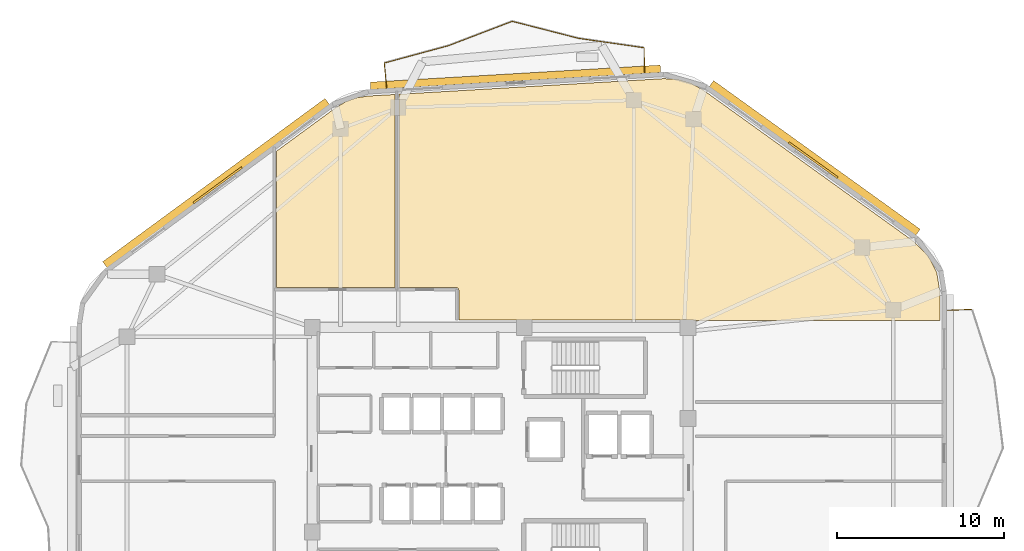
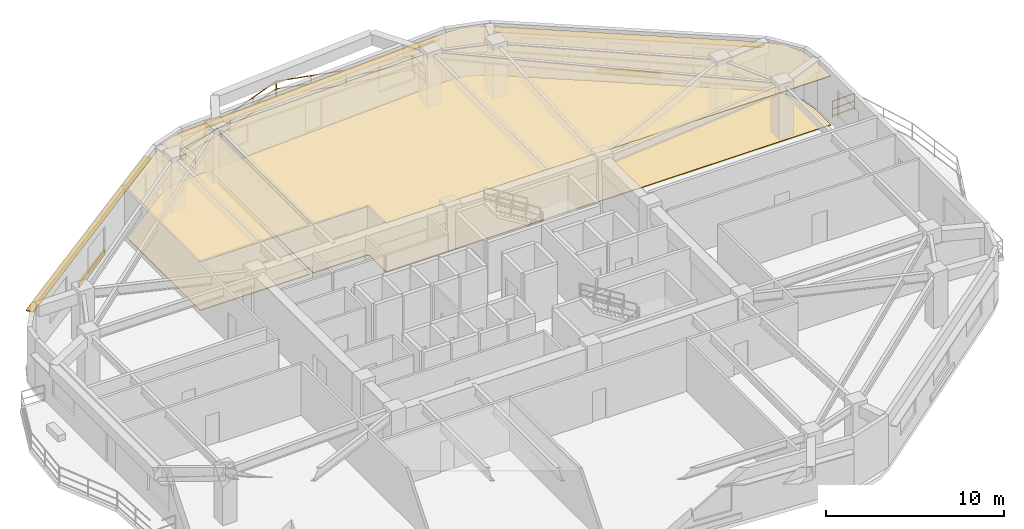
# One storey, part 9 of 9: 7 railings, 5 shading devices, 4 coverings.
"""IFC4 building model written with IfcOpenShell, lengths in metres."""

import ifcopenshell
import ifcopenshell.guid

model = None  # the IFC model being written
_history = None  # IfcOwnerHistory: only IFC2X3 demands one
_inside = {}  # id of a spatial element -> (the spatial element, [elements in it])
_under = {}  # id of a project, library or spatial element -> (it, [spatial elements below it])
_declared = {}  # id of a project -> (the project, [libraries it declares])
_typed = {}  # id of a type object -> (the type object, [elements of that type])
_made_of = {}  # id of a material, layer set ... -> (it, [elements and type objects made of it])


def new_model(schema):
    """Start an empty IFC model of exactly this schema.

    Asked for "IFC4X3", IfcOpenShell would pick the latest addendum, in which some entities
    have other attributes; the version numbers below select the first issue.
    IFC2X3 requires an IfcOwnerHistory on every rooted entity: one is made here for all.
    """
    global model, _history
    if schema == "IFC4X3":
        model = ifcopenshell.file(schema_version=(4, 3, 0, 0))
    else:
        model = ifcopenshell.file(schema=schema)
    _inside.clear()
    _under.clear()
    _declared.clear()
    _typed.clear()
    _made_of.clear()
    _history = None
    if model.schema == "IFC2X3":
        org = make("IfcOrganization", Name="unknown")
        user = make(
            "IfcPersonAndOrganization",
            ThePerson=make("IfcPerson", FamilyName="unknown"),
            TheOrganization=org,
        )
        app = make(
            "IfcApplication",
            ApplicationDeveloper=org,
            Version="unknown",
            ApplicationFullName="unknown",
            ApplicationIdentifier="unknown",
        )
        _history = make(
            "IfcOwnerHistory",
            OwningUser=user,
            OwningApplication=app,
            ChangeAction="ADDED",
            CreationDate=0,
        )
    return model


def make(cls, **values):
    """One entity of the class cls with the attributes given. An attribute that is None is left unset."""
    return model.create_entity(
        cls, **{name: value for name, value in values.items() if value is not None}
    )


def rooted(cls, **values):
    """An entity with a GlobalId (a new one), such as an element, a storey or a relation."""
    return make(cls, GlobalId=ifcopenshell.guid.new(), OwnerHistory=_history, **values)


def si_unit(unit_type, name, prefix=None):
    """IfcSIUnit, for example si_unit("LENGTHUNIT", "METRE", prefix="MILLI")."""
    return make("IfcSIUnit", UnitType=unit_type, Prefix=prefix, Name=name)


def assignment(units):
    """IfcUnitAssignment: the units of a project."""
    return None if units is None else make("IfcUnitAssignment", Units=units)


def point(xyz):
    """IfcCartesianPoint."""
    return None if xyz is None else make("IfcCartesianPoint", Coordinates=xyz)


def direction(xyz):
    """IfcDirection."""
    return None if xyz is None else make("IfcDirection", DirectionRatios=xyz)


def frame(location, z_axis=None, x_axis=None):
    """IfcAxis2Placement3D, a coordinate frame: its origin and axes. An axis left out is left unset."""
    return make(
        "IfcAxis2Placement3D",
        Location=point(location),
        Axis=direction(z_axis),
        RefDirection=direction(x_axis),
    )


def frame_2d(location, x_axis=None):
    """IfcAxis2Placement2D, a coordinate frame in the plane: its origin and x axis."""
    return make(
        "IfcAxis2Placement2D", Location=point(location), RefDirection=direction(x_axis)
    )


def origin():
    """The frame at (0, 0, 0) with its axes left unset."""
    return frame((0.0, 0.0, 0.0))


def origin_2d():
    """The frame at (0, 0) in the plane with its x axis left unset."""
    return frame_2d((0.0, 0.0))


def place(relative_to, where):
    """IfcLocalPlacement: puts the frame where relative to a parent placement (None: the world)."""
    return make(
        "IfcLocalPlacement", PlacementRelTo=relative_to, RelativePlacement=where
    )


def context(
    kind, dimensions, precision=None, world=None, true_north=None, identifier=None
):
    """IfcGeometricRepresentationContext, for example the 3D "Model" context."""
    return make(
        "IfcGeometricRepresentationContext",
        ContextIdentifier=identifier,
        ContextType=kind,
        CoordinateSpaceDimension=dimensions,
        Precision=precision,
        WorldCoordinateSystem=world,
        TrueNorth=true_north,
    )


def subcontext(parent, identifier, kind, view, scale=None):
    """IfcGeometricRepresentationSubContext, for example "Body" below "Model"."""
    return make(
        "IfcGeometricRepresentationSubContext",
        ContextIdentifier=identifier,
        ContextType=kind,
        ParentContext=parent,
        TargetScale=scale,
        TargetView=view,
    )


def project(units=None, contexts=None):
    """IfcProject with its units and contexts."""
    return rooted(
        "IfcProject",
        Name="project",
        RepresentationContexts=contexts,
        UnitsInContext=assignment(units),
    )


def spatial(cls, under=None, at=None, **own):
    """A site, building, storey or space (cls), placed at a placement, below another one or the project."""
    s = rooted(cls, ObjectPlacement=at, **own)
    if under is not None:
        _under.setdefault(under.id(), (under, []))[1].append(s)
    return s


def polyline(points):
    """IfcPolyline through the points."""
    return make("IfcPolyline", Points=[point(p) for p in points])


def profile(cls, at=None, kind="AREA", **sizes):
    """A parametric profile (cls). Its sizes go by their IFC names, for example OverallWidth=200.0."""
    return make(cls, ProfileType=kind, Position=at, **sizes)


def rectangle(**sizes):
    """IfcRectangleProfileDef."""
    return profile("IfcRectangleProfileDef", **sizes)


def outline(outer, holes=None, kind="AREA"):
    """IfcArbitraryClosedProfileDef: a profile drawn as a closed curve; with holes, ...WithVoids."""
    if holes is None:
        return make("IfcArbitraryClosedProfileDef", ProfileType=kind, OuterCurve=outer)
    return make(
        "IfcArbitraryProfileDefWithVoids",
        ProfileType=kind,
        OuterCurve=outer,
        InnerCurves=holes,
    )


def extrude(swept, where, along, depth):
    """IfcExtrudedAreaSolid: the profile swept, set in the frame where, extruded along a direction by depth."""
    return make(
        "IfcExtrudedAreaSolid",
        SweptArea=swept,
        Position=where,
        ExtrudedDirection=direction(along),
        Depth=depth,
    )


def shape(context_of_items, identifier, shape_type, items):
    """IfcShapeRepresentation: the items that make up one representation, for example the "Body"."""
    return make(
        "IfcShapeRepresentation",
        ContextOfItems=context_of_items,
        RepresentationIdentifier=identifier,
        RepresentationType=shape_type,
        Items=items,
    )


def material(Name=None, Category=None):
    """IfcMaterial."""
    return make("IfcMaterial", Name=Name, Category=Category)


def layer(
    of_material, thickness, ventilated=None, Name=None, Category=None, Priority=None
):
    """IfcMaterialLayer: one layer of a wall or slab, of a material (None: an air gap)."""
    return make(
        "IfcMaterialLayer",
        Material=of_material,
        LayerThickness=thickness,
        IsVentilated=ventilated,
        Name=Name,
        Category=Category,
        Priority=Priority,
    )


def layer_set(layers, Name=None):
    """IfcMaterialLayerSet."""
    return make("IfcMaterialLayerSet", MaterialLayers=layers, LayerSetName=Name)


def made_of(thing, what):
    """Note that an element or type object is made of a material, layer set ...; save() writes the relation."""
    if what is not None:
        _made_of.setdefault(what.id(), (what, []))[1].append(thing)
    return thing


def type_object(cls, material=None, **own):
    """A type object (cls), such as IfcWallType, which elements share."""
    return made_of(rooted(cls, **own), material)


def element(
    cls,
    number,
    at=None,
    inside=None,
    cuts=None,
    type_object=None,
    material=None,
    context=None,
    identifier="Body",
    shape_type=None,
    held_by="IfcProductDefinitionShape",
    body=None,
    shapes=None,
    **own,
):
    """One element of the class cls, such as IfcWall. Its Tag is "e" and its number.

    at: its placement. inside: the storey or other place that contains it. cuts: it is an
    opening in that element (IfcRelVoidsElement). A single representation is given by context,
    identifier, shape_type and body (its items); several are given by shapes. held_by: the class
    of the entity that holds the representations. save() writes the other relations.
    """
    e = rooted(cls, Tag="e%d" % number, ObjectPlacement=at, **own)
    if body is not None:
        shapes = [shape(context, identifier, shape_type, body)]
    if shapes is not None:
        e.Representation = make(held_by, Representations=shapes)
    if inside is not None:
        _inside.setdefault(inside.id(), (inside, []))[1].append(e)
    if cuts is not None:
        rooted(
            "IfcRelVoidsElement", RelatingBuildingElement=cuts, RelatedOpeningElement=e
        )
    if type_object is not None:
        _typed.setdefault(type_object.id(), (type_object, []))[1].append(e)
    return made_of(e, material)


def aggregate(whole, parts):
    """IfcRelAggregates: a whole, such as a stair, and the parts it consists of."""
    return rooted("IfcRelAggregates", RelatingObject=whole, RelatedObjects=parts)


def save(model, path):
    """Write the relations noted so far, then the file.

    IfcRelAggregates (storeys below a building ...), IfcRelContainedInSpatialStructure (elements
    in a storey), IfcRelDefinesByType, IfcRelAssociatesMaterial and IfcRelDeclares: one each for
    every whole, place, type object, material and project.
    """
    for whole, parts in _under.values():
        aggregate(whole, parts)
    for where, things in _inside.values():
        rooted(
            "IfcRelContainedInSpatialStructure",
            RelatedElements=things,
            RelatingStructure=where,
        )
    for kind, things in _typed.values():
        rooted("IfcRelDefinesByType", RelatedObjects=things, RelatingType=kind)
    for what, things in _made_of.values():
        rooted("IfcRelAssociatesMaterial", RelatedObjects=things, RelatingMaterial=what)
    for by, libraries in _declared.values():
        rooted("IfcRelDeclares", RelatingContext=by, RelatedDefinitions=libraries)
    model.write(path)


model = new_model("IFC4")

# Units and contexts
model_context = context("Model", 3, precision=1e-05, world=origin(), true_north=direction((0.0, 1.0)))
body_context = subcontext(model_context, "Body", "Model", "MODEL_VIEW")
ifc_project = project(units=[si_unit("LENGTHUNIT", "METRE"), si_unit("AREAUNIT", "SQUARE_METRE"), si_unit("VOLUMEUNIT", "CUBIC_METRE"), si_unit("PLANEANGLEUNIT", "RADIAN"), si_unit("MASSUNIT", "GRAM", prefix="KILO")], contexts=[model_context])

# Site, building, storey
site_placement = place(None, origin())
site = spatial("IfcSite", under=ifc_project, at=site_placement, CompositionType="ELEMENT")
building_placement = place(site_placement, origin())
building = spatial("IfcBuilding", under=site, at=building_placement, Name="Zulverin Broadcast Headquarters", CompositionType="ELEMENT")
storey_placement = place(building_placement, frame((0.0, 0.0, 197.199951171875)))
storey = spatial("IfcBuildingStorey", under=building, at=storey_placement, Name="L50", CompositionType="ELEMENT", Elevation=197.199951171875)

# Coverings
ifc_material_1 = material(Name="Perforated pale-metal acoustic baffle ceiling", Category="aluminium")
ifc_layer_1 = layer(ifc_material_1, 0.0400390625, Name="Perforated pale-metal acoustic baffle ceiling", Category="aluminium")
ifc_layer_set_1 = layer_set([ifc_layer_1], Name="Perforated pale-metal acoustic baffle ceiling")
covering_type_1 = type_object("IfcCoveringType", Name="COV-CEIL-ACOU", PredefinedType="CEILING", material=ifc_layer_set_1)
covering_1_placement = place(storey_placement, frame((0.0, 0.0, 3.360107421875)))
element("IfcCovering", 1, at=covering_1_placement, inside=storey, type_object=covering_type_1, Name="L50 Acoustic Baffle Ceiling 01", PredefinedType="CEILING", context=body_context, shape_type="SweptSolid", body=[
    extrude(outline(polyline([(30.679931640625, 35.471923828125), (30.679931640625, 47.06396484375), (29.075927734375, 46.971923828125), (28.3759765625, 46.864013671875), (27.73193359375, 46.632080078125), (27.1279296875, 46.26806640625), (23.572021484375, 43.659912109375), (23.572021484375, 35.471923828125), (30.679931640625, 35.471923828125)])), origin(), (0.0, 0.0, 1.0), 0.0400390625),
])
covering_2_placement = place(storey_placement, frame((0.0, 0.0, 3.360107421875)))
element("IfcCovering", 2, at=covering_2_placement, inside=storey, type_object=covering_type_1, Name="L50 Acoustic Baffle Ceiling 02", PredefinedType="CEILING", context=body_context, shape_type="SweptSolid", body=[
    extrude(outline(polyline([(48.4599609375, 47.739990234375), (47.679931640625, 47.968017578125), (46.840087890625, 48.01611328125), (30.919921875, 47.080078125), (30.919921875, 35.471923828125), (34.360107421875, 35.471923828125), (34.3720703125, 35.471923828125), (34.384033203125, 35.468017578125), (34.39208984375, 35.468017578125), (34.39990234375, 35.464111328125), (34.407958984375, 35.464111328125), (34.419921875, 35.4599609375), (34.427978515625, 35.4560546875), (34.43603515625, 35.451904296875), (34.447998046875, 35.444091796875), (34.4599609375, 35.43603515625), (34.468017578125, 35.427978515625), (34.47607421875, 35.419921875), (34.48388671875, 35.412109375), (34.491943359375, 35.39990234375), (34.5, 35.387939453125), (34.50390625, 35.3798828125), (34.508056640625, 35.3720703125), (34.511962890625, 35.364013671875), (34.51611328125, 35.35205078125), (34.51611328125, 35.343994140625), (34.52001953125, 35.33203125), (34.52001953125, 35.320068359375), (34.52001953125, 33.52001953125), (48.568115234375, 33.52001953125), (48.580078125, 33.52001953125), (48.592041015625, 33.51611328125), (48.60009765625, 33.51611328125), (48.612060546875, 33.511962890625), (48.6201171875, 33.508056640625), (48.635986328125, 33.5), (63.39990234375, 33.5), (63.39990234375, 35.236083984375), (63.216064453125, 36.384033203125), (62.699951171875, 37.387939453125), (61.8798828125, 38.2080078125), (49.196044921875, 47.33203125), (48.4599609375, 47.739990234375)])), origin(), (0.0, 0.0, 1.0), 0.0400390625),
])
ifc_material_2 = material(Name="Anti-static broadcast raised access flooring", Category="stone")
ifc_layer_2 = layer(ifc_material_2, 0.050048828125, Name="Anti-static broadcast raised access flooring", Category="stone")
ifc_layer_set_2 = layer_set([ifc_layer_2], Name="Anti-static broadcast raised access flooring")
covering_type_2 = type_object("IfcCoveringType", Name="COV-FLR-RAISED", PredefinedType="FLOORING", material=ifc_layer_set_2)
covering_3_placement = place(storey_placement, origin())
element("IfcCovering", 3, at=covering_3_placement, inside=storey, type_object=covering_type_2, Name="L50 Broadcast Raised Access Flooring 01", PredefinedType="FLOORING", context=body_context, shape_type="SweptSolid", body=[
    extrude(outline(polyline([(30.679931640625, 35.471923828125), (30.679931640625, 47.06396484375), (29.075927734375, 46.971923828125), (28.3759765625, 46.864013671875), (27.73193359375, 46.632080078125), (27.1279296875, 46.26806640625), (23.572021484375, 43.659912109375), (23.572021484375, 35.471923828125), (30.679931640625, 35.471923828125)])), origin(), (0.0, 0.0, 1.0), 0.050048828125),
])
covering_4_placement = place(storey_placement, origin())
element("IfcCovering", 4, at=covering_4_placement, inside=storey, type_object=covering_type_2, Name="L50 Broadcast Raised Access Flooring 02", PredefinedType="FLOORING", context=body_context, shape_type="SweptSolid", body=[
    extrude(outline(polyline([(48.4599609375, 47.739990234375), (47.679931640625, 47.968017578125), (46.840087890625, 48.01611328125), (30.919921875, 47.080078125), (30.919921875, 35.471923828125), (34.360107421875, 35.471923828125), (34.3720703125, 35.471923828125), (34.384033203125, 35.468017578125), (34.39208984375, 35.468017578125), (34.39990234375, 35.464111328125), (34.407958984375, 35.464111328125), (34.419921875, 35.4599609375), (34.427978515625, 35.4560546875), (34.43603515625, 35.451904296875), (34.447998046875, 35.444091796875), (34.4599609375, 35.43603515625), (34.468017578125, 35.427978515625), (34.47607421875, 35.419921875), (34.48388671875, 35.412109375), (34.491943359375, 35.39990234375), (34.5, 35.387939453125), (34.50390625, 35.3798828125), (34.508056640625, 35.3720703125), (34.511962890625, 35.364013671875), (34.51611328125, 35.35205078125), (34.51611328125, 35.343994140625), (34.52001953125, 35.33203125), (34.52001953125, 35.320068359375), (34.52001953125, 33.52001953125), (48.568115234375, 33.52001953125), (48.580078125, 33.52001953125), (48.592041015625, 33.51611328125), (48.60009765625, 33.51611328125), (48.612060546875, 33.511962890625), (48.6201171875, 33.508056640625), (48.635986328125, 33.5), (63.39990234375, 33.5), (63.39990234375, 35.236083984375), (63.216064453125, 36.384033203125), (62.699951171875, 37.387939453125), (61.8798828125, 38.2080078125), (49.196044921875, 47.33203125), (48.4599609375, 47.739990234375)])), origin(), (0.0, 0.0, 1.0), 0.050048828125),
])

# Railings
ifc_material_3 = material(Name="Brushed stainless steel & laminated glass balustrade", Category="steel")
railing_type = type_object("IfcRailingType", Name="RL-GUARD-1150", PredefinedType="GUARDRAIL", material=ifc_material_3)
railing_1_placement = place(storey_placement, frame((65.304931640625, 34.16552734375, 0.0)))
element("IfcRailing", 5, at=railing_1_placement, inside=storey, type_object=railing_type, Name="L50 Vertical-Forest Balcony Guardrail BAL_E Segment 06", PredefinedType="GUARDRAIL", context=body_context, shape_type="SweptSolid", body=[
    extrude(rectangle(XDim=0.048095703125, YDim=0.048095703125, at=origin_2d()), frame((0.0, 0.0, 1.1259765625), z_axis=(-0.99918088253, -0.040466825742, 0.0), x_axis=(0.040466825742, -0.99918088253, 0.0)), (0.0, 0.0, 1.0), 1.466064453125),
    extrude(rectangle(XDim=0.0419921875, YDim=0.0419921875, at=origin_2d()), frame((0.0, 0.0, 0.597900390625), z_axis=(-0.99918088253, -0.040466825742, 0.0), x_axis=(0.040466825742, -0.99918088253, 0.0)), (0.0, 0.0, 1.0), 1.466064453125),
    extrude(rectangle(XDim=0.0419921875, YDim=0.0419921875, at=origin_2d()), frame((0.0, 0.0, 0.1201171875), z_axis=(-0.99918088253, -0.040466825742, 0.0), x_axis=(0.040466825742, -0.99918088253, 0.0)), (0.0, 0.0, 1.0), 1.466064453125),
    extrude(rectangle(XDim=0.0419921875, YDim=0.0419921875, at=origin_2d()), origin(), (0.0, 0.0, 1.0), 1.101806640625),
    extrude(rectangle(XDim=0.0419921875, YDim=0.0419921875, at=origin_2d()), frame((-1.46484375, -0.059326171875, 0.0)), (0.0, 0.0, 1.0), 1.101806640625),
])
railing_2_placement = place(storey_placement, frame((45.677734375, 48.388427734375, 0.0)))
element("IfcRailing", 6, at=railing_2_placement, inside=storey, type_object=railing_type, Name="L50 Vertical-Forest Balcony Guardrail BAL_N Segment 01", PredefinedType="GUARDRAIL", context=body_context, shape_type="SweptSolid", body=[
    extrude(rectangle(XDim=0.048095703125, YDim=0.048095703125, at=origin_2d()), frame((0.0, 0.0, 1.1259765625), z_axis=(-0.018318045163, 0.999832210534, 0.0), x_axis=(-0.999832210534, -0.018318045163, 0.0)), (0.0, 0.0, 1.0), 1.466064453125),
    extrude(rectangle(XDim=0.0419921875, YDim=0.0419921875, at=origin_2d()), frame((0.0, 0.0, 0.597900390625), z_axis=(-0.018318045163, 0.999832210534, 0.0), x_axis=(-0.999832210534, -0.018318045163, 0.0)), (0.0, 0.0, 1.0), 1.466064453125),
    extrude(rectangle(XDim=0.0419921875, YDim=0.0419921875, at=origin_2d()), frame((0.0, 0.0, 0.1201171875), z_axis=(-0.018318045163, 0.999832210534, 0.0), x_axis=(-0.999832210534, -0.018318045163, 0.0)), (0.0, 0.0, 1.0), 1.466064453125),
    extrude(rectangle(XDim=0.0419921875, YDim=0.0419921875, at=origin_2d()), origin(), (0.0, 0.0, 1.0), 1.101806640625),
    extrude(rectangle(XDim=0.0419921875, YDim=0.0419921875, at=origin_2d()), frame((-0.02685546875, 1.4658203125, 0.0)), (0.0, 0.0, 1.0), 1.101806640625),
])
railing_3_placement = place(storey_placement, frame((45.6357421875, 49.871337890625, 0.0)))
element("IfcRailing", 7, at=railing_3_placement, inside=storey, type_object=railing_type, Name="L50 Vertical-Forest Balcony Guardrail BAL_N Segment 02", PredefinedType="GUARDRAIL", context=body_context, shape_type="SweptSolid", body=[
    extrude(rectangle(XDim=0.048095703125, YDim=0.048095703125, at=origin_2d()), frame((0.0, 0.0, 1.1259765625), z_axis=(-0.989784798904, 0.142569463277, 0.0), x_axis=(-0.142569463277, -0.989784798904, 0.0)), (0.0, 0.0, 1.0), 3.959228515625),
    extrude(rectangle(XDim=0.0419921875, YDim=0.0419921875, at=origin_2d()), frame((0.0, 0.0, 0.597900390625), z_axis=(-0.989784798904, 0.142569463277, 0.0), x_axis=(-0.142569463277, -0.989784798904, 0.0)), (0.0, 0.0, 1.0), 3.959228515625),
    extrude(rectangle(XDim=0.0419921875, YDim=0.0419921875, at=origin_2d()), frame((0.0, 0.0, 0.1201171875), z_axis=(-0.989784798904, 0.142569463277, 0.0), x_axis=(-0.142569463277, -0.989784798904, 0.0)), (0.0, 0.0, 1.0), 3.959228515625),
    extrude(rectangle(XDim=0.0419921875, YDim=0.0419921875, at=origin_2d()), origin(), (0.0, 0.0, 1.0), 1.101806640625),
    extrude(rectangle(XDim=0.0419921875, YDim=0.0419921875, at=origin_2d()), frame((-1.95947265625, 0.2822265625, 0.0)), (0.0, 0.0, 1.0), 1.101806640625),
    extrude(rectangle(XDim=0.0419921875, YDim=0.0419921875, at=origin_2d()), frame((-3.918701171875, 0.564453125, 0.0)), (0.0, 0.0, 1.0), 1.101806640625),
])
railing_4_placement = place(storey_placement, frame((41.687744140625, 50.44140625, 0.0)))
element("IfcRailing", 8, at=railing_4_placement, inside=storey, type_object=railing_type, Name="L50 Vertical-Forest Balcony Guardrail BAL_N Segment 03", PredefinedType="GUARDRAIL", context=body_context, shape_type="SweptSolid", body=[
    extrude(rectangle(XDim=0.048095703125, YDim=0.048095703125, at=origin_2d()), frame((0.0, 0.0, 1.1259765625), z_axis=(-0.968669041884, 0.248355163619, 0.0), x_axis=(-0.248355163619, -0.968669041884, 0.0)), (0.0, 0.0, 1.0), 4.07373046875),
    extrude(rectangle(XDim=0.0419921875, YDim=0.0419921875, at=origin_2d()), frame((0.0, 0.0, 0.597900390625), z_axis=(-0.968669041884, 0.248355163619, 0.0), x_axis=(-0.248355163619, -0.968669041884, 0.0)), (0.0, 0.0, 1.0), 4.07373046875),
    extrude(rectangle(XDim=0.0419921875, YDim=0.0419921875, at=origin_2d()), frame((0.0, 0.0, 0.1201171875), z_axis=(-0.968669041884, 0.248355163619, 0.0), x_axis=(-0.248355163619, -0.968669041884, 0.0)), (0.0, 0.0, 1.0), 4.07373046875),
    extrude(rectangle(XDim=0.0419921875, YDim=0.0419921875, at=origin_2d()), origin(), (0.0, 0.0, 1.0), 1.101806640625),
    extrude(rectangle(XDim=0.0419921875, YDim=0.0419921875, at=origin_2d()), frame((-1.97314453125, 0.505859375, 0.0)), (0.0, 0.0, 1.0), 1.101806640625),
    extrude(rectangle(XDim=0.0419921875, YDim=0.0419921875, at=origin_2d()), frame((-3.946044921875, 1.01171875, 0.0)), (0.0, 0.0, 1.0), 1.101806640625),
])
railing_5_placement = place(storey_placement, frame((37.713134765625, 51.451416015625, 0.0)))
element("IfcRailing", 9, at=railing_5_placement, inside=storey, type_object=railing_type, Name="L50 Vertical-Forest Balcony Guardrail BAL_N Segment 04", PredefinedType="GUARDRAIL", context=body_context, shape_type="SweptSolid", body=[
    extrude(rectangle(XDim=0.048095703125, YDim=0.048095703125, at=origin_2d()), frame((0.0, 0.0, 1.1259765625), z_axis=(-0.934168935397, -0.356831052656, 0.0), x_axis=(0.356831052656, -0.934168935397, 0.0)), (0.0, 0.0, 1.0), 4.06884765625),
    extrude(rectangle(XDim=0.0419921875, YDim=0.0419921875, at=origin_2d()), frame((0.0, 0.0, 0.597900390625), z_axis=(-0.934168935397, -0.356831052656, 0.0), x_axis=(0.356831052656, -0.934168935397, 0.0)), (0.0, 0.0, 1.0), 4.06884765625),
    extrude(rectangle(XDim=0.0419921875, YDim=0.0419921875, at=origin_2d()), frame((0.0, 0.0, 0.1201171875), z_axis=(-0.934168935397, -0.356831052656, 0.0), x_axis=(0.356831052656, -0.934168935397, 0.0)), (0.0, 0.0, 1.0), 4.06884765625),
    extrude(rectangle(XDim=0.0419921875, YDim=0.0419921875, at=origin_2d()), origin(), (0.0, 0.0, 1.0), 1.101806640625),
    extrude(rectangle(XDim=0.0419921875, YDim=0.0419921875, at=origin_2d()), frame((-1.900390625, -0.72607421875, 0.0)), (0.0, 0.0, 1.0), 1.101806640625),
    extrude(rectangle(XDim=0.0419921875, YDim=0.0419921875, at=origin_2d()), frame((-3.801025390625, -1.451904296875, 0.0)), (0.0, 0.0, 1.0), 1.101806640625),
])
railing_6_placement = place(storey_placement, frame((33.8837890625, 49.990234375, 0.0)))
element("IfcRailing", 10, at=railing_6_placement, inside=storey, type_object=railing_type, Name="L50 Vertical-Forest Balcony Guardrail BAL_N Segment 05", PredefinedType="GUARDRAIL", context=body_context, shape_type="SweptSolid", body=[
    extrude(rectangle(XDim=0.048095703125, YDim=0.048095703125, at=origin_2d()), frame((0.0, 0.0, 1.1259765625), z_axis=(-0.965271055954, -0.261250432608, 0.0), x_axis=(0.261250432608, -0.965271055954, 0.0)), (0.0, 0.0, 1.0), 3.96240234375),
    extrude(rectangle(XDim=0.0419921875, YDim=0.0419921875, at=origin_2d()), frame((0.0, 0.0, 0.597900390625), z_axis=(-0.965271055954, -0.261250432608, 0.0), x_axis=(0.261250432608, -0.965271055954, 0.0)), (0.0, 0.0, 1.0), 3.96240234375),
    extrude(rectangle(XDim=0.0419921875, YDim=0.0419921875, at=origin_2d()), frame((0.0, 0.0, 0.1201171875), z_axis=(-0.965271055954, -0.261250432608, 0.0), x_axis=(0.261250432608, -0.965271055954, 0.0)), (0.0, 0.0, 1.0), 3.96240234375),
    extrude(rectangle(XDim=0.0419921875, YDim=0.0419921875, at=origin_2d()), origin(), (0.0, 0.0, 1.0), 1.101806640625),
    extrude(rectangle(XDim=0.0419921875, YDim=0.0419921875, at=origin_2d()), frame((-1.912353515625, -0.517578125, 0.0)), (0.0, 0.0, 1.0), 1.101806640625),
    extrude(rectangle(XDim=0.0419921875, YDim=0.0419921875, at=origin_2d()), frame((-3.82470703125, -1.03515625, 0.0)), (0.0, 0.0, 1.0), 1.101806640625),
])
railing_7_placement = place(storey_placement, frame((30.0458984375, 48.936279296875, 0.0)))
element("IfcRailing", 11, at=railing_7_placement, inside=storey, type_object=railing_type, Name="L50 Vertical-Forest Balcony Guardrail BAL_N Segment 06", PredefinedType="GUARDRAIL", context=body_context, shape_type="SweptSolid", body=[
    extrude(rectangle(XDim=0.048095703125, YDim=0.048095703125, at=origin_2d()), frame((0.0, 0.0, 1.1259765625), z_axis=(0.099256382944, -0.995061892771, 0.0), x_axis=(0.995061892771, 0.099256382944, 0.0)), (0.0, 0.0, 1.0), 1.466064453125),
    extrude(rectangle(XDim=0.0419921875, YDim=0.0419921875, at=origin_2d()), frame((0.0, 0.0, 0.597900390625), z_axis=(0.099256382944, -0.995061892771, 0.0), x_axis=(0.995061892771, 0.099256382944, 0.0)), (0.0, 0.0, 1.0), 1.466064453125),
    extrude(rectangle(XDim=0.0419921875, YDim=0.0419921875, at=origin_2d()), frame((0.0, 0.0, 0.1201171875), z_axis=(0.099256382944, -0.995061892771, 0.0), x_axis=(0.995061892771, 0.099256382944, 0.0)), (0.0, 0.0, 1.0), 1.466064453125),
    extrude(rectangle(XDim=0.0419921875, YDim=0.0419921875, at=origin_2d()), origin(), (0.0, 0.0, 1.0), 1.101806640625),
    extrude(rectangle(XDim=0.0419921875, YDim=0.0419921875, at=origin_2d()), frame((0.1455078125, -1.458740234375, 0.0)), (0.0, 0.0, 1.0), 1.101806640625),
])

# Shading devices
ifc_material_4 = material(Name="Anodized pale-metal aluminium acoustic louvre", Category="aluminium")
shading_device_type_1 = type_object("IfcShadingDeviceType", Name="SHD-LOUVRE-350", PredefinedType="USERDEFINED", material=ifc_material_4)
for number, where, z_axis, x_axis, name in (
    (12, (55.7958984375, 43.124267578125, 0.2451171875), (0.0, 0.0, 1.0), (-0.811723852333, 0.58404142623, 0.0), "L50 Spandrel Intake Louvre 4"),
    (13, (20.04443359375, 41.614990234375, 0.2451171875), (0.0, 0.0, 1.0), (-0.806096670674, -0.591783877382, 0.0), "L50 Spandrel Intake Louvre 6"),
):
    element("IfcShadingDevice", number, at=place(storey_placement, frame(where, z_axis=z_axis, x_axis=x_axis)), inside=storey, type_object=shading_device_type_1, Name=name, ObjectType="LOUVRE", PredefinedType="USERDEFINED", context=body_context, shape_type="SweptSolid", body=[
        extrude(rectangle(XDim=3.60009765625, YDim=0.1201171875, at=origin_2d()), origin(), (0.0, 0.0, 1.0), 0.35009765625),
    ])
ifc_material_5 = material(Name="Anodized pale-metal aluminium sunshade", Category="aluminium")
ifc_layer_3 = layer(ifc_material_5, 0.06005859375, Name="Anodized pale-metal aluminium sunshade", Category="aluminium")
ifc_layer_set_3 = layer_set([ifc_layer_3], Name="Anodized pale-metal aluminium sunshade")
shading_device_type_2 = type_object("IfcShadingDeviceType", Name="SS-01_PALE_METAL_ALUMINIUM_SUNSHADE", PredefinedType="USERDEFINED", material=ifc_layer_set_3)
shading_device_1_placement = place(storey_placement, frame((55.889404296875, 43.254150390625, 2.7099609375), z_axis=(0.0, 0.0, 1.0), x_axis=(-0.811723852333, 0.58404142623, 0.0)))
element("IfcShadingDevice", 14, at=shading_device_1_placement, inside=storey, type_object=shading_device_type_2, Name="L50 Horizontal Pale-Metal Sunshade Band 4", ObjectType="SUNSHADE", PredefinedType="USERDEFINED", context=body_context, shape_type="SweptSolid", body=[
    extrude(rectangle(XDim=15.279296875, YDim=0.449951171875, at=origin_2d()), origin(), (0.0, 0.0, 1.0), 0.06005859375),
])
shading_device_2_placement = place(storey_placement, frame((37.925048828125, 48.0927734375, 2.7099609375), z_axis=(0.0, 0.0, 1.0), x_axis=(-0.998274332859, -0.058722707319, 0.0)))
element("IfcShadingDevice", 15, at=shading_device_2_placement, inside=storey, type_object=shading_device_type_2, Name="L50 Horizontal Pale-Metal Sunshade Band 5", ObjectType="SUNSHADE", PredefinedType="USERDEFINED", context=body_context, shape_type="SweptSolid", body=[
    extrude(rectangle(XDim=17.43310546875, YDim=0.449951171875, at=origin_2d()), origin(), (0.0, 0.0, 1.0), 0.06005859375),
])
shading_device_3_placement = place(storey_placement, frame((19.94970703125, 41.743896484375, 2.7099609375), z_axis=(0.0, 0.0, 1.0), x_axis=(-0.806096670674, -0.591783877382, 0.0)))
element("IfcShadingDevice", 16, at=shading_device_3_placement, inside=storey, type_object=shading_device_type_2, Name="L50 Horizontal Pale-Metal Sunshade Band 6", ObjectType="SUNSHADE", PredefinedType="USERDEFINED", context=body_context, shape_type="SweptSolid", body=[
    extrude(rectangle(XDim=16.558837890625, YDim=0.449951171875, at=origin_2d()), origin(), (0.0, 0.0, 1.0), 0.06005859375),
])

save(model, "model.ifc")
